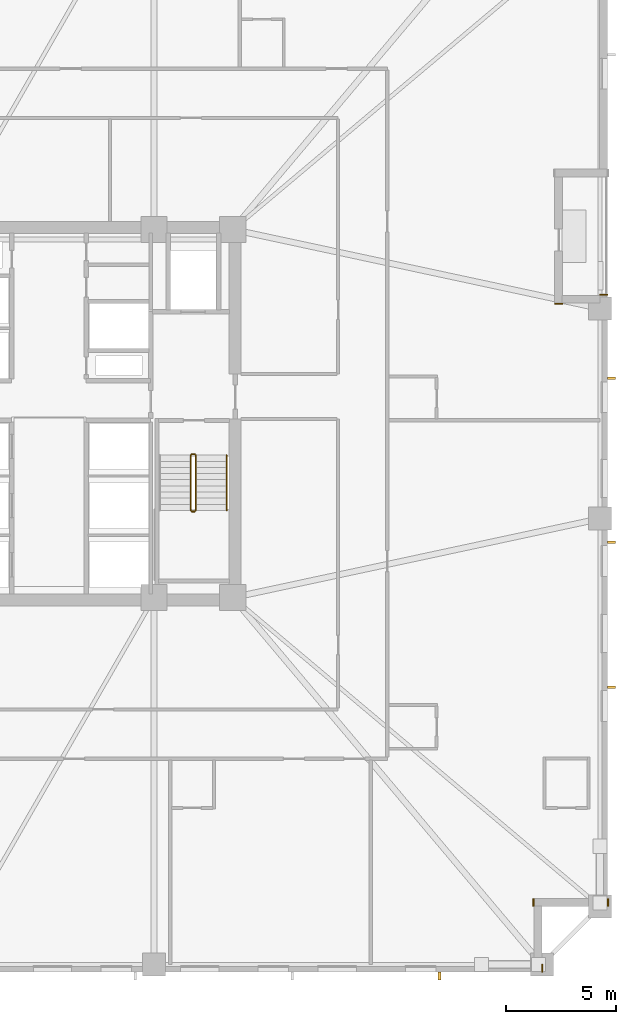
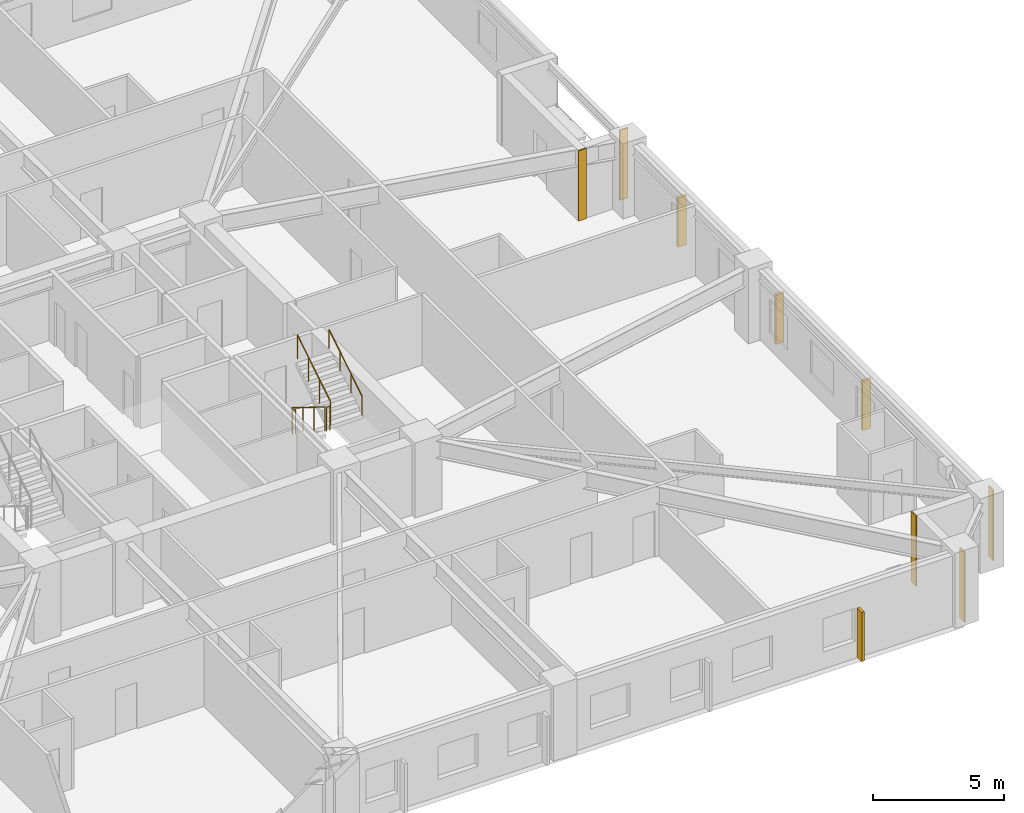
# One storey, part 9 of 11: 5 coverings, 5 railings, 4 shading devices.
"""IFC4 building model written with IfcOpenShell, lengths in metres."""

from ifc_helpers import new_model, si_unit, direction, frame, frame_2d, origin, origin_2d, place, context, subcontext, project, spatial, rectangle, circle, extrude, material, layer, layer_set, type_object, element, save


model = new_model("IFC4")

# Units and contexts
model_context = context("Model", 3, precision=1e-05, world=origin(), true_north=direction((0.0, 1.0)))
body_context = subcontext(model_context, "Body", "Model", "MODEL_VIEW")
ifc_project = project(units=[si_unit("LENGTHUNIT", "METRE"), si_unit("AREAUNIT", "SQUARE_METRE"), si_unit("VOLUMEUNIT", "CUBIC_METRE"), si_unit("PLANEANGLEUNIT", "RADIAN"), si_unit("MASSUNIT", "GRAM", prefix="KILO")], contexts=[model_context])

# Site, building, storey
site_placement = place(None, origin())
site = spatial("IfcSite", under=ifc_project, at=site_placement, CompositionType="ELEMENT")
building_placement = place(site_placement, origin())
building = spatial("IfcBuilding", under=site, at=building_placement, Name="Cairnveth Concourse Tower", CompositionType="ELEMENT")
storey_placement = place(building_placement, frame((0.0, 0.0, 76.0)))
storey = spatial("IfcBuildingStorey", under=building, at=storey_placement, Name="L20", CompositionType="ELEMENT", Elevation=76.0)

# Coverings
ifc_material_1 = material(Name="Dressed Melbourne Bluestone Cladding", Category="masonry")
ifc_layer = layer(ifc_material_1, 0.050048828125)
ifc_layer_set = layer_set([ifc_layer], Name="Dressed Melbourne Bluestone Cladding")
covering_type = type_object("IfcCoveringType", Name="DRESSED BLUESTONE PLINTH CLADDING 50", PredefinedType="CLADDING", material=ifc_layer_set)
for number, where, z_axis, x_axis, name in (
    (1, (77.139892578125, 44.419921875, 0.0), (0.0, 0.0, 1.0), (1.0, 0.0, 0.0), "Melbourne Bluestone Corner Quoin L20-263"),
    (2, (77.52001953125, 16.860107421875, 0.0), (0.0, 0.0, 1.0), (0.0, -1.0, 0.0), "Melbourne Bluestone Corner Quoin L20-264"),
    (3, (74.1201171875, 16.860107421875, 0.0), (0.0, 0.0, 1.0), (0.0, -1.0, 0.0), "Melbourne Bluestone Corner Quoin L20-265"),
    (4, (74.52001953125, 13.860107421875, 0.0), (0.0, 0.0, 1.0), (0.0, -1.0, 0.0), "Melbourne Bluestone Corner Quoin L20-266"),
):
    element("IfcCovering", number, at=place(storey_placement, frame(where, z_axis=z_axis, x_axis=x_axis)), inside=storey, type_object=covering_type, Name=name, PredefinedType="CLADDING", context=body_context, shape_type="SweptSolid", body=[
        extrude(rectangle(XDim=0.360107421875, YDim=0.050048828125, at=frame_2d((0.18017578125, 0.0))), origin(), (0.0, 0.0, 1.0), 3.280029296875),
    ])
covering_placement = place(storey_placement, frame((75.090087890625, 44.02001953125, 0.0), z_axis=(0.0, 0.0, 1.0), x_axis=(1.0, 0.0, 0.0)))
element("IfcCovering", 5, at=covering_placement, inside=storey, type_object=covering_type, Name="Melbourne Bluestone Corner Quoin L20-278", PredefinedType="CLADDING", context=body_context, shape_type="SweptSolid", body=[
    extrude(rectangle(XDim=0.35986328125, YDim=0.050048828125, at=frame_2d((0.179931640625, 0.0))), origin(), (0.0, 0.0, 1.0), 3.280029296875),
])

# Shading devices
ifc_material_2 = material(Name="Architectural Bronze Anodised Aluminium 6063-T6", Category="aluminium")
shading_device_type = type_object("IfcShadingDeviceType", Name="GOTHIC BRONZE VERTICAL LANCET FIN", PredefinedType="USERDEFINED", material=ifc_material_2)
for number, where, z_axis, x_axis, name in (
    (6, (77.675048828125, 40.604736328125, 0.02978515625), (0.0, 0.0, 1.0), (0.0, 1.0, 0.0), "Gothic Bronze Vertical Fin L20-0-1"),
    (7, (77.675048828125, 33.13427734375, 0.02978515625), (0.0, 0.0, 1.0), (0.0, 1.0, 0.0), "Gothic Bronze Vertical Fin L20-0-3"),
    (8, (77.675048828125, 26.513427734375, 0.02978515625), (0.0, 0.0, 1.0), (0.0, 1.0, 0.0), "Gothic Bronze Vertical Fin L20-0-5"),
    (9, (69.829833984375, 13.324951171875, 0.02978515625), (0.0, 0.0, 1.0), (1.0, 0.0, 0.0), "Gothic Bronze Vertical Fin L20-3-1"),
):
    element("IfcShadingDevice", number, at=place(storey_placement, frame(where, z_axis=z_axis, x_axis=x_axis)), inside=storey, type_object=shading_device_type, Name=name, ObjectType="VERTICAL FIN", PredefinedType="USERDEFINED", context=body_context, shape_type="SweptSolid", body=[
        extrude(rectangle(XDim=0.1201171875, YDim=0.360107421875, at=origin_2d()), origin(), (0.0, 0.0, 1.0), 2.303955078125),
    ])

# Railings
ifc_material_3 = material(Name="Steel Grade 350", Category="steel")
railing_type_1 = type_object("IfcRailingType", Name="STAIR GUARDRAIL 1150", PredefinedType="GUARDRAIL", material=ifc_material_3)
railing_1_placement = place(storey_placement, frame((58.469970703125, 37.10009765625, 0.175048828125)))
element("IfcRailing", 10, at=railing_1_placement, inside=storey, type_object=railing_type_1, Name="L20 ST-2 stair guard 1", PredefinedType="GUARDRAIL", context=body_context, shape_type="SweptSolid", body=[
    extrude(circle(Radius=0.02392578125, at=origin_2d()), frame((0.0, 0.0, 1.1259765625), z_axis=(0.0, -0.848007534815, 0.529984170421), x_axis=(1.0, 0.0, 0.0)), (0.0, 0.0, 1.0), 2.9716796875),
    extrude(circle(Radius=0.02099609375, at=origin_2d()), origin(), (0.0, 0.0, 1.0), 1.101806640625),
    extrude(circle(Radius=0.02099609375, at=origin_2d()), frame((0.0, -0.840087890625, 0.52490234375)), (0.0, 0.0, 1.0), 1.101806640625),
    extrude(circle(Radius=0.02099609375, at=origin_2d()), frame((0.0, -1.679931640625, 1.050048828125)), (0.0, 0.0, 1.0), 1.101806640625),
    extrude(circle(Radius=0.02099609375, at=origin_2d()), frame((0.0, -2.52001953125, 1.574951171875)), (0.0, 0.0, 1.0), 1.101806640625),
])
railing_2_placement = place(storey_placement, frame((58.52001953125, 34.530029296875, 1.75)))
element("IfcRailing", 11, at=railing_2_placement, inside=storey, type_object=railing_type_1, Name="L20 ST-2 stair guard 2", PredefinedType="GUARDRAIL", context=body_context, shape_type="SweptSolid", body=[
    extrude(circle(Radius=0.02392578125, at=origin_2d()), frame((0.0, 0.0, 1.1259765625), z_axis=(1.0, 0.0, 0.0), x_axis=(0.0, 1.0, 0.0)), (0.0, 0.0, 1.0), 0.139892578125),
    extrude(circle(Radius=0.02099609375, at=origin_2d()), origin(), (0.0, 0.0, 1.0), 1.101806640625),
    extrude(circle(Radius=0.02099609375, at=origin_2d()), frame((0.139892578125, 0.0, 0.0)), (0.0, 0.0, 1.0), 1.101806640625),
])
railing_3_placement = place(storey_placement, frame((58.7099609375, 34.580078125, 1.925048828125)))
element("IfcRailing", 12, at=railing_3_placement, inside=storey, type_object=railing_type_1, Name="L20 ST-2 stair guard 3", PredefinedType="GUARDRAIL", context=body_context, shape_type="SweptSolid", body=[
    extrude(circle(Radius=0.02392578125, at=origin_2d()), frame((0.0, 0.0, 1.1259765625), z_axis=(0.0, 0.848007534815, 0.529984170421), x_axis=(-1.0, 0.0, 0.0)), (0.0, 0.0, 1.0), 2.9716796875),
    extrude(circle(Radius=0.02099609375, at=origin_2d()), origin(), (0.0, 0.0, 1.0), 1.101806640625),
    extrude(circle(Radius=0.02099609375, at=origin_2d()), frame((0.0, 0.840087890625, 0.52490234375)), (0.0, 0.0, 1.0), 1.101806640625),
    extrude(circle(Radius=0.02099609375, at=origin_2d()), frame((0.0, 1.679931640625, 1.050048828125)), (0.0, 0.0, 1.0), 1.101806640625),
    extrude(circle(Radius=0.02099609375, at=origin_2d()), frame((0.0, 2.52001953125, 1.574951171875)), (0.0, 0.0, 1.0), 1.101806640625),
])
railing_4_placement = place(storey_placement, frame((58.52001953125, 37.14990234375, 0.0)))
element("IfcRailing", 13, at=railing_4_placement, inside=storey, type_object=railing_type_1, Name="L20 ST-2 stair guard 4", PredefinedType="GUARDRAIL", context=body_context, shape_type="SweptSolid", body=[
    extrude(circle(Radius=0.02392578125, at=origin_2d()), frame((0.0, 0.0, 1.1259765625), z_axis=(1.0, 0.0, 0.0), x_axis=(0.0, 1.0, 0.0)), (0.0, 0.0, 1.0), 0.139892578125),
    extrude(circle(Radius=0.02099609375, at=origin_2d()), origin(), (0.0, 0.0, 1.0), 1.101806640625),
    extrude(circle(Radius=0.02099609375, at=origin_2d()), frame((0.139892578125, 0.0, 0.0)), (0.0, 0.0, 1.0), 1.101806640625),
])
railing_type_2 = type_object("IfcRailingType", Name="STAIR WALL HANDRAIL 900", PredefinedType="HANDRAIL", material=ifc_material_3)
railing_5_placement = place(storey_placement, frame((60.110107421875, 34.580078125, 1.925048828125)))
element("IfcRailing", 14, at=railing_5_placement, inside=storey, type_object=railing_type_2, Name="L20 ST-2 stair handrail 2", PredefinedType="HANDRAIL", context=body_context, shape_type="SweptSolid", body=[
    extrude(circle(Radius=0.02392578125, at=origin_2d()), frame((0.0, 0.0, 0.8759765625), z_axis=(0.0, 0.848007534815, 0.529984170421), x_axis=(-1.0, 0.0, 0.0)), (0.0, 0.0, 1.0), 2.9716796875),
    extrude(circle(Radius=0.02099609375, at=origin_2d()), origin(), (0.0, 0.0, 1.0), 0.851806640625),
    extrude(circle(Radius=0.02099609375, at=origin_2d()), frame((0.0, 0.840087890625, 0.52490234375)), (0.0, 0.0, 1.0), 0.851806640625),
    extrude(circle(Radius=0.02099609375, at=origin_2d()), frame((0.0, 1.679931640625, 1.050048828125)), (0.0, 0.0, 1.0), 0.851806640625),
    extrude(circle(Radius=0.02099609375, at=origin_2d()), frame((0.0, 2.52001953125, 1.574951171875)), (0.0, 0.0, 1.0), 0.851806640625),
])

save(model, "model.ifc")
